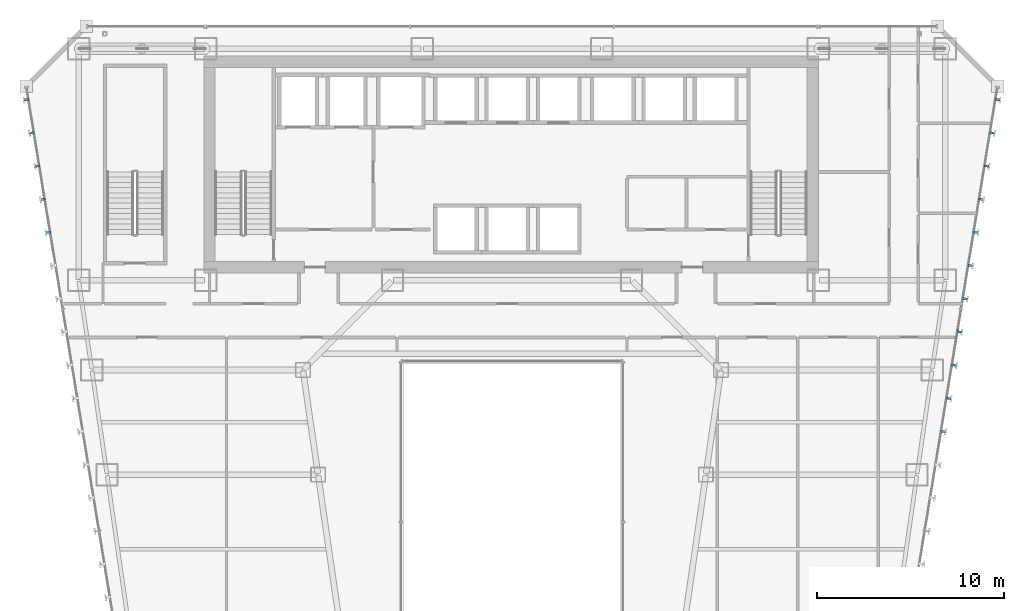
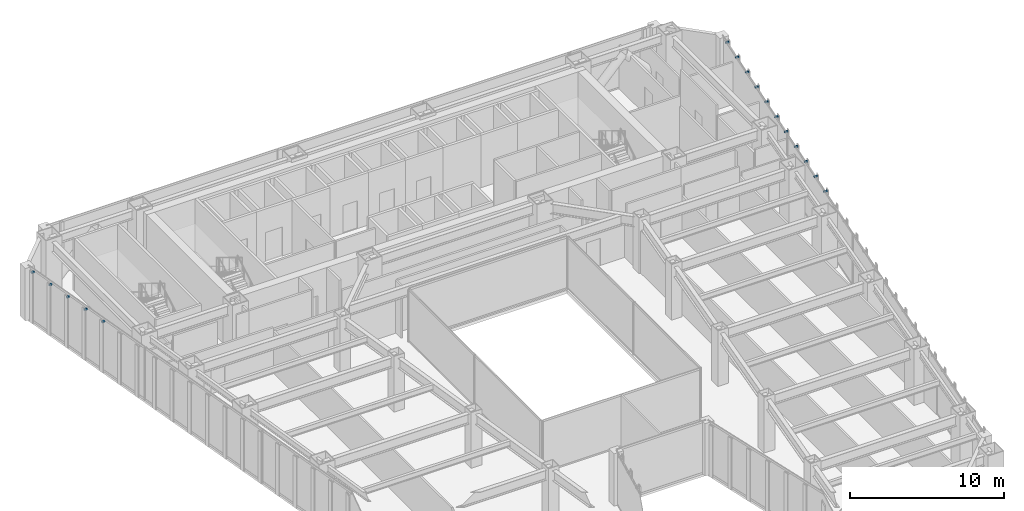
# One storey, part 40 of 47: 16 discrete accessories.
"""IFC4 building model written with IfcOpenShell, lengths in metres."""

from ifc_helpers import new_model, si_unit, direction, frame, origin, origin_2d, place, context, subcontext, project, spatial, rectangle, extrude, material, layer, layer_set, type_object, element, save


model = new_model("IFC4")

# Units and contexts
model_context = context("Model", 3, precision=1e-05, world=origin(), true_north=direction((0.0, 1.0)))
body_context = subcontext(model_context, "Body", "Model", "MODEL_VIEW")
ifc_project = project(units=[si_unit("LENGTHUNIT", "METRE"), si_unit("AREAUNIT", "SQUARE_METRE"), si_unit("VOLUMEUNIT", "CUBIC_METRE"), si_unit("PLANEANGLEUNIT", "RADIAN"), si_unit("MASSUNIT", "GRAM", prefix="KILO")], contexts=[model_context])

# Site, building, storey
site_placement = place(None, origin())
site = spatial("IfcSite", under=ifc_project, at=site_placement, CompositionType="ELEMENT")
building_placement = place(site_placement, origin())
building = spatial("IfcBuilding", under=site, at=building_placement, Name="Saevonmaru Cultural Tower", CompositionType="ELEMENT")
storey_placement = place(building_placement, frame((0.0, 0.0, 60.39990234375)))
storey = spatial("IfcBuildingStorey", under=building, at=storey_placement, Name="L12", CompositionType="ELEMENT", Elevation=60.39990234375)

# Discrete accessories
ifc_material = material(Name="Stainless Steel 316", Category="steel")
ifc_layer = layer(ifc_material, 0.1201171875, Name="Stainless Steel 316")
ifc_layer_set = layer_set([ifc_layer], Name="Stainless Steel 316")
discrete_accessory_type = type_object("IfcDiscreteAccessoryType", Name="ACC-FIN-BRKT", PredefinedType="BRACKET", material=ifc_layer_set)
for number, where, z_axis, x_axis, name in (
    (1, (53.081787109375, 34.31103515625, 3.929931640625), (0.0, 0.0, 1.0), (0.986827496189, -0.161776057456, 0.0), "L12 Bronze Fin Bracket E8-17"),
    (2, (53.372802734375, 36.08740234375, 3.929931640625), (0.0, 0.0, 1.0), (0.986827496189, -0.161776057456, 0.0), "L12 Bronze Fin Bracket E8-18"),
    (3, (53.663818359375, 37.86376953125, 3.929931640625), (0.0, 0.0, 1.0), (0.986827496189, -0.161776057456, 0.0), "L12 Bronze Fin Bracket E8-19"),
    (4, (53.955078125, 39.64013671875, 3.929931640625), (0.0, 0.0, 1.0), (0.986827496189, -0.161776057456, 0.0), "L12 Bronze Fin Bracket E8-20"),
    (5, (54.24609375, 41.41650390625, 3.929931640625), (0.0, 0.0, 1.0), (0.986827496189, -0.161776057456, 0.0), "L12 Bronze Fin Bracket E8-21"),
    (6, (54.537109375, 43.192626953125, 3.929931640625), (0.0, 0.0, 1.0), (0.986827496189, -0.161776057456, 0.0), "L12 Bronze Fin Bracket E8-22"),
    (7, (54.828125, 44.968994140625, 3.929931640625), (0.0, 0.0, 1.0), (0.986827496189, -0.161776057456, 0.0), "L12 Bronze Fin Bracket E8-23"),
    (8, (55.119384765625, 46.745361328125, 3.929931640625), (0.0, 0.0, 1.0), (0.986827496189, -0.161776057456, 0.0), "L12 Bronze Fin Bracket E8-24"),
    (9, (55.410400390625, 48.521484375, 3.929931640625), (0.0, 0.0, 1.0), (0.986827496189, -0.161776057456, 0.0), "L12 Bronze Fin Bracket E8-25"),
    (10, (55.701416015625, 50.2978515625, 3.929931640625), (0.0, 0.0, 1.0), (0.986827496189, -0.161776057456, 0.0), "L12 Bronze Fin Bracket E8-26"),
    (11, (55.992431640625, 52.07421875, 3.929931640625), (0.0, 0.0, 1.0), (0.986827496189, -0.161776057456, 0.0), "L12 Bronze Fin Bracket E8-27"),
    (12, (4.007568359375, 52.07421875, 3.929931640625), (0.0, 0.0, 1.0), (-0.986827496189, -0.161776057456, 0.0), "L12 Bronze Fin Bracket E12-01"),
    (13, (4.298583984375, 50.2978515625, 3.929931640625), (0.0, 0.0, 1.0), (-0.986827496189, -0.161776057456, 0.0), "L12 Bronze Fin Bracket E12-02"),
    (14, (4.589599609375, 48.521484375, 3.929931640625), (0.0, 0.0, 1.0), (-0.986827496189, -0.161776057456, 0.0), "L12 Bronze Fin Bracket E12-03"),
    (15, (4.880615234375, 46.745361328125, 3.929931640625), (0.0, 0.0, 1.0), (-0.986827496189, -0.161776057456, 0.0), "L12 Bronze Fin Bracket E12-04"),
    (16, (5.171875, 44.968994140625, 3.929931640625), (0.0, 0.0, 1.0), (-0.986827496189, -0.161776057456, 0.0), "L12 Bronze Fin Bracket E12-05"),
):
    element("IfcDiscreteAccessory", number, at=place(storey_placement, frame(where, z_axis=z_axis, x_axis=x_axis)), inside=storey, type_object=discrete_accessory_type, Name=name, PredefinedType="BRACKET", context=body_context, shape_type="SweptSolid", body=[
        extrude(rectangle(XDim=0.260009765625, YDim=0.1201171875, at=origin_2d()), origin(), (0.0, 0.0, 1.0), 0.1201171875),
    ])

save(model, "model.ifc")
